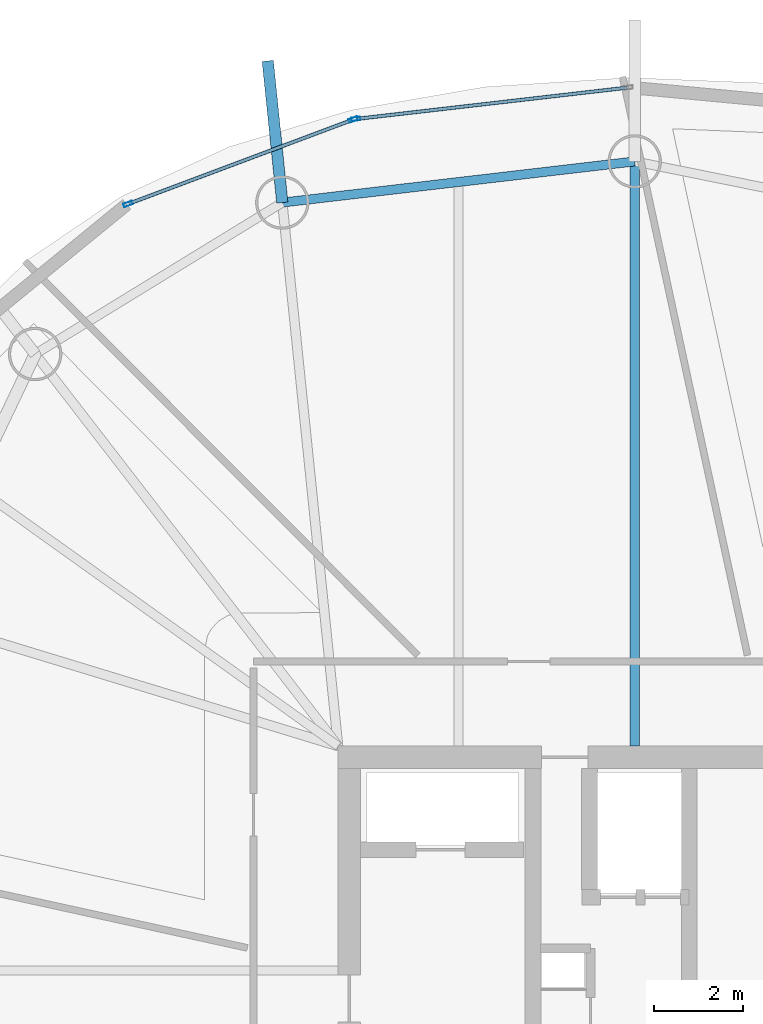
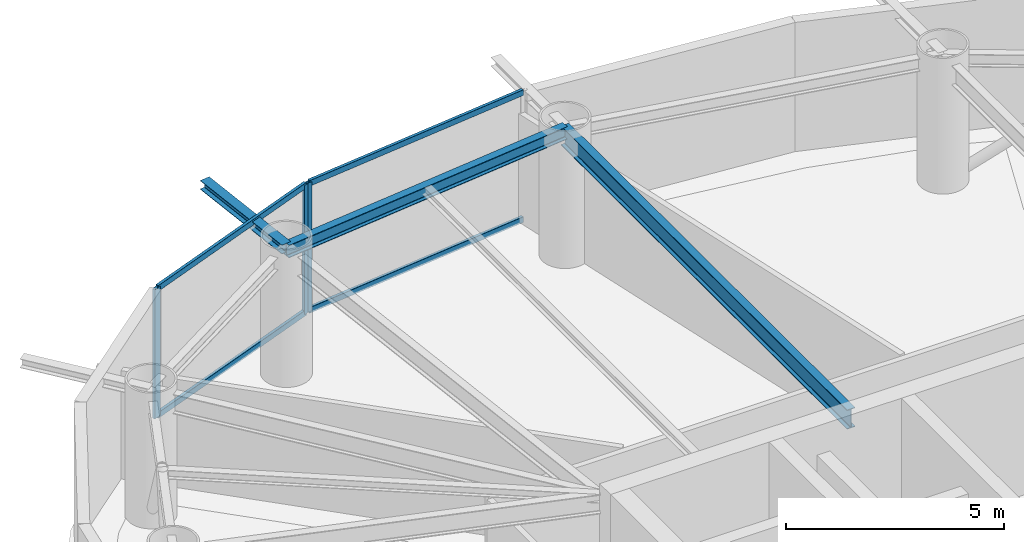
# One storey, part 11 of 22: 7 members, 3 beams, 2 elements without a shape of their own.
"""IFC4 building model written with IfcOpenShell, lengths in metres."""

from ifc_helpers import new_model, si_unit, direction, frame, origin, origin_2d, place, context, subcontext, project, spatial, hollow_rectangle, i_section, extrude, material, layer, layer_set, material_profile, profile_set, type_object, element, aggregate, save


model = new_model("IFC4")

# Units and contexts
model_context = context("Model", 3, precision=1e-05, world=origin(), true_north=direction((0.0, 1.0)))
body_context = subcontext(model_context, "Body", "Model", "MODEL_VIEW")
ifc_project = project(units=[si_unit("LENGTHUNIT", "METRE"), si_unit("AREAUNIT", "SQUARE_METRE"), si_unit("VOLUMEUNIT", "CUBIC_METRE"), si_unit("PLANEANGLEUNIT", "RADIAN"), si_unit("MASSUNIT", "GRAM", prefix="KILO")], contexts=[model_context])

# Site, building, storey
site_placement = place(None, origin())
site = spatial("IfcSite", under=ifc_project, at=site_placement, CompositionType="ELEMENT")
building_placement = place(site_placement, origin())
building = spatial("IfcBuilding", under=site, at=building_placement, Name="Bramvorn Convention Spire", CompositionType="ELEMENT")
storey_placement = place(building_placement, frame((0.0, 0.0, 190.449951171875)))
storey = spatial("IfcBuildingStorey", under=building, at=storey_placement, Name="L48", CompositionType="ELEMENT", Elevation=190.449951171875)

# Beams
ifc_material_1 = material(Name="Steel CSA G40.21 Grade 350 (350W)", Category="steel")
ifc_material_profile_1 = material_profile(ifc_material_1, i_section(OverallWidth=0.25390625, OverallDepth=0.2529296875, WebThickness=0.008544921875, FlangeThickness=0.01416015625, FilletRadius=0.011962890625, at=origin_2d()))
ifc_profile_set_1 = profile_set([ifc_material_profile_1], Name="Steel CSA G40.21 Grade 350 (350W) - W250X73")
beam_type_1 = type_object("IfcBeamType", Name="BM-W250X73", PredefinedType="BEAM", material=ifc_profile_set_1)
beam_1_placement = place(storey_placement, frame((25.49560546875, 45.663818359375, 3.49365234375), z_axis=(-0.10223018875, 0.994760769486, 0.0), x_axis=(-0.994760769486, -0.10223018875, 0.0)))
element("IfcBeam", 1, at=beam_1_placement, inside=storey, type_object=beam_type_1, Name="L48 slab-edge cantilever tip beam MC08", PredefinedType="BEAM", context=body_context, shape_type="SweptSolid", body=[
    extrude(i_section(OverallWidth=0.25390625, OverallDepth=0.2529296875, WebThickness=0.008544921875, FlangeThickness=0.01416015625, FilletRadius=0.011962890625, at=origin_2d()), origin(), (0.0, 0.0, 1.0), 3.2001953125),
])
ifc_material_profile_2 = material_profile(ifc_material_1, i_section(OverallWidth=0.205078125, OverallDepth=0.35400390625, WebThickness=0.009521484375, FlangeThickness=0.016845703125, FilletRadius=0.014892578125, at=origin_2d()))
ifc_profile_set_2 = profile_set([ifc_material_profile_2], Name="Steel CSA G40.21 Grade 350 (350W) - W360X79")
beam_type_2 = type_object("IfcBeamType", Name="BM-W360X79", PredefinedType="JOIST", material=ifc_profile_set_2)
beam_2_placement = place(storey_placement, frame((33.416259765625, 46.58837890625, 3.443115234375), z_axis=(-0.993256148339, -0.115940604561, 0.0), x_axis=(0.115940604561, -0.993256148339, 0.0)))
element("IfcBeam", 2, at=beam_2_placement, inside=storey, type_object=beam_type_2, Name="L48 mega-column ring beam 07", PredefinedType="JOIST", context=body_context, shape_type="SweptSolid", body=[
    extrude(i_section(OverallWidth=0.205078125, OverallDepth=0.35400390625, WebThickness=0.009521484375, FlangeThickness=0.016845703125, FilletRadius=0.014892578125, at=origin_2d()), origin(), (0.0, 0.0, 1.0), 7.974365234375),
])
ifc_material_profile_3 = material_profile(ifc_material_1, i_section(OverallWidth=0.2119140625, OverallDepth=0.5439453125, WebThickness=0.01318359375, FlangeThickness=0.021240234375, FilletRadius=0.01904296875, at=origin_2d()))
ifc_profile_set_3 = profile_set([ifc_material_profile_3], Name="Steel CSA G40.21 Grade 350 (350W) - W530X123")
beam_type_3 = type_object("IfcBeamType", Name="BM-W530X123", PredefinedType="BEAM", material=ifc_profile_set_3)
beam_3_placement = place(storey_placement, frame((33.416259765625, 33.449951171875, 3.34814453125), z_axis=(0.0, 1.0, 0.0), x_axis=(-1.0, 0.0, 0.0)))
element("IfcBeam", 3, at=beam_3_placement, inside=storey, type_object=beam_type_3, Name="L48 radial floor girder MC07", PredefinedType="BEAM", context=body_context, shape_type="SweptSolid", body=[
    extrude(i_section(OverallWidth=0.2119140625, OverallDepth=0.5439453125, WebThickness=0.01318359375, FlangeThickness=0.021240234375, FilletRadius=0.01904296875, at=origin_2d()), origin(), (0.0, 0.0, 1.0), 13.138427734375),
])

# Curtain wall, member
ifc_material_2 = material(Name="Anodised Bronze Unitised Curtain Wall", Category="aluminium")
ifc_layer = layer(ifc_material_2, 0.179931640625)
ifc_layer_set = layer_set([ifc_layer], Name="Anodised Bronze Unitised Curtain Wall - CW-OFF-FRIT")
curtain_wall_type = type_object("IfcCurtainWallType", Name="CW-OFF-FRIT", PredefinedType="USERDEFINED", material=ifc_layer_set)
curtain_wall_1_placement = place(storey_placement, origin())
curtain_wall_1 = element("IfcCurtainWall", 4, at=curtain_wall_1_placement, inside=storey, type_object=curtain_wall_type, Name="L48 fritted glass curtain wall 10", ObjectType="UNITISED CURTAIN WALL", PredefinedType="USERDEFINED")
ifc_material_3 = material(Name="Anodised Bronze Aluminium 6063-T6", Category="aluminium")
ifc_material_profile_4 = material_profile(ifc_material_3, hollow_rectangle(XDim=0.080078125, YDim=0.199951171875, WallThickness=0.00390625, InnerFilletRadius=0.0009765625, OuterFilletRadius=0.00390625, at=origin_2d()))
ifc_profile_set_4 = profile_set([ifc_material_profile_4], Name="Anodised Bronze Aluminium 6063-T6 - CWM80X200")
member_type_1 = type_object("IfcMemberType", Name="CW-MUL-180", PredefinedType="MULLION", material=ifc_profile_set_4)
member_1_placement = place(storey_placement, frame((27.146240234375, 47.5419921875, 0.0), z_axis=(0.0, 0.0, 1.0), x_axis=(-0.114560709165, 0.99341624907, 0.0)))
member_1 = element("IfcMember", 5, at=member_1_placement, type_object=member_type_1, Name="CW3 mullion 1", PredefinedType="MULLION", context=body_context, shape_type="SweptSolid", body=[
    extrude(hollow_rectangle(XDim=0.080078125, YDim=0.199951171875, WallThickness=0.00390625, InnerFilletRadius=0.0009765625, OuterFilletRadius=0.00390625, at=origin_2d()), origin(), (0.0, 0.0, 1.0), 3.6201171875),
])

# Curtain wall, members
curtain_wall_2_placement = place(storey_placement, origin())
curtain_wall_2 = element("IfcCurtainWall", 6, at=curtain_wall_2_placement, inside=storey, type_object=curtain_wall_type, Name="L48 fritted glass curtain wall 11", ObjectType="UNITISED CURTAIN WALL", PredefinedType="USERDEFINED")
member_2_placement = place(storey_placement, frame((22.027587890625, 45.63134765625, 0.0), z_axis=(0.0, 0.0, 1.0), x_axis=(-0.350973027239, 0.936385569171, 0.0)))
member_2 = element("IfcMember", 7, at=member_2_placement, type_object=member_type_1, Name="CW3 mullion 1", PredefinedType="MULLION", context=body_context, shape_type="SweptSolid", body=[
    extrude(hollow_rectangle(XDim=0.080078125, YDim=0.199951171875, WallThickness=0.00390625, InnerFilletRadius=0.0009765625, OuterFilletRadius=0.00390625, at=origin_2d()), origin(), (0.0, 0.0, 1.0), 3.6201171875),
])
member_3_placement = place(storey_placement, frame((27.08837890625, 47.528076171875, 0.0), z_axis=(0.0, 0.0, 1.0), x_axis=(-0.350973027239, 0.936385569171, 0.0)))
member_3 = element("IfcMember", 8, at=member_3_placement, type_object=member_type_1, Name="CW3 mullion 2", PredefinedType="MULLION", context=body_context, shape_type="SweptSolid", body=[
    extrude(hollow_rectangle(XDim=0.080078125, YDim=0.199951171875, WallThickness=0.00390625, InnerFilletRadius=0.0009765625, OuterFilletRadius=0.00390625, at=origin_2d()), origin(), (0.0, 0.0, 1.0), 3.6201171875),
])

# Member
ifc_material_profile_5 = material_profile(ifc_material_3, hollow_rectangle(XDim=0.080078125, YDim=0.159912109375, WallThickness=0.00390625, InnerFilletRadius=0.0009765625, OuterFilletRadius=0.00390625, at=origin_2d()))
ifc_profile_set_5 = profile_set([ifc_material_profile_5], Name="Anodised Bronze Aluminium 6063-T6 - CWT80X160")
member_type_2 = type_object("IfcMemberType", Name="CW-TRN-150", PredefinedType="USERDEFINED", material=ifc_profile_set_5)
member_4_placement = place(storey_placement, frame((27.176025390625, 47.54541015625, 0.030029296875), z_axis=(0.993413312652, 0.11458616952, 0.0), x_axis=(-0.11458616952, 0.993413312652, 0.0)))
member_4 = element("IfcMember", 9, at=member_4_placement, type_object=member_type_2, Name="CW3 transom 1.1", ObjectType="TRANSOM", PredefinedType="USERDEFINED", context=body_context, shape_type="SweptSolid", body=[
    extrude(hollow_rectangle(XDim=0.080078125, YDim=0.159912109375, WallThickness=0.00390625, InnerFilletRadius=0.0009765625, OuterFilletRadius=0.00390625, at=origin_2d()), origin(), (0.0, 0.0, 1.0), 6.1064453125),
])

member_5_placement = place(storey_placement, frame((27.176025390625, 47.54541015625, 3.590087890625), z_axis=(0.993413312652, 0.11458616952, 0.0), x_axis=(-0.11458616952, 0.993413312652, 0.0)))
member_5 = element("IfcMember", 10, at=member_5_placement, type_object=member_type_2, Name="CW3 transom 1.2", ObjectType="TRANSOM", PredefinedType="USERDEFINED", context=body_context, shape_type="SweptSolid", body=[
    extrude(hollow_rectangle(XDim=0.080078125, YDim=0.159912109375, WallThickness=0.00390625, InnerFilletRadius=0.0009765625, OuterFilletRadius=0.00390625, at=origin_2d()), origin(), (0.0, 0.0, 1.0), 6.1064453125),
])

aggregate(curtain_wall_1, [member_1, member_4, member_5])

member_6_placement = place(storey_placement, frame((22.0556640625, 45.641845703125, 0.030029296875), z_axis=(0.936391112373, 0.350958237785, 0.0), x_axis=(-0.350958237785, 0.936391112373, 0.0)))
member_6 = element("IfcMember", 11, at=member_6_placement, type_object=member_type_2, Name="CW3 transom 1.1", ObjectType="TRANSOM", PredefinedType="USERDEFINED", context=body_context, shape_type="SweptSolid", body=[
    extrude(hollow_rectangle(XDim=0.080078125, YDim=0.159912109375, WallThickness=0.00390625, InnerFilletRadius=0.0009765625, OuterFilletRadius=0.00390625, at=origin_2d()), origin(), (0.0, 0.0, 1.0), 5.344482421875),
])

member_7_placement = place(storey_placement, frame((22.0556640625, 45.641845703125, 3.590087890625), z_axis=(0.936391112373, 0.350958237785, 0.0), x_axis=(-0.350958237785, 0.936391112373, 0.0)))
member_7 = element("IfcMember", 12, at=member_7_placement, type_object=member_type_2, Name="CW3 transom 1.2", ObjectType="TRANSOM", PredefinedType="USERDEFINED", context=body_context, shape_type="SweptSolid", body=[
    extrude(hollow_rectangle(XDim=0.080078125, YDim=0.159912109375, WallThickness=0.00390625, InnerFilletRadius=0.0009765625, OuterFilletRadius=0.00390625, at=origin_2d()), origin(), (0.0, 0.0, 1.0), 5.344482421875),
])

aggregate(curtain_wall_2, [member_2, member_3, member_6, member_7])

save(model, "model.ifc")
